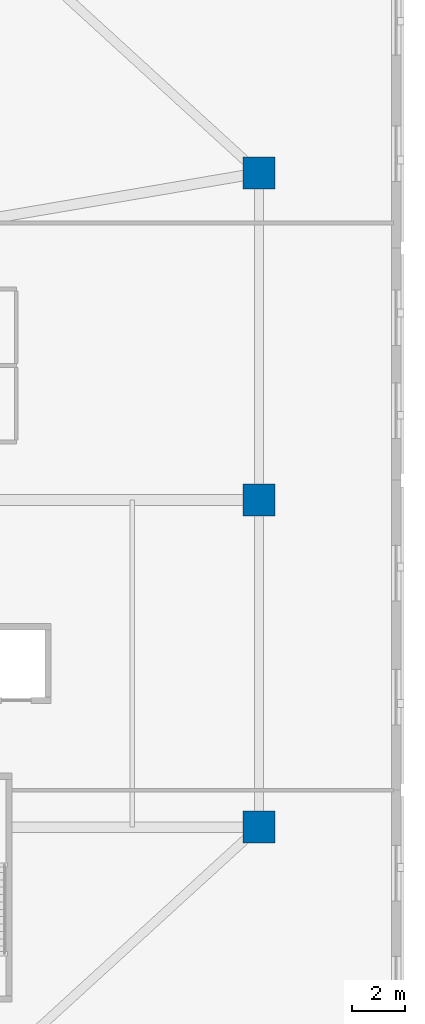
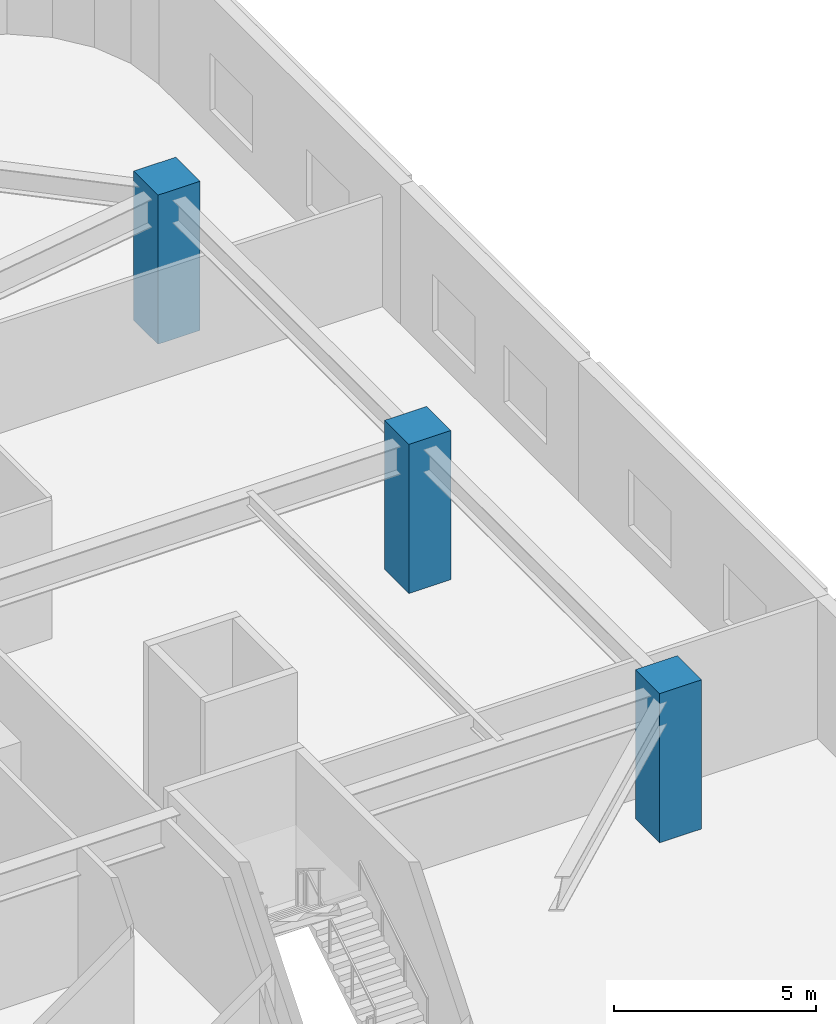
# One storey, part 2 of 25: 3 columns.
"""IFC4 building model written with IfcOpenShell, lengths in metres."""

from ifc_helpers import new_model, si_unit, direction, frame, origin, origin_2d, place, context, subcontext, project, spatial, rectangle, extrude, material, material_profile, profile_set, type_object, element, save


model = new_model("IFC4")

# Units and contexts
model_context = context("Model", 3, precision=1e-05, world=origin(), true_north=direction((0.0, 1.0)))
body_context = subcontext(model_context, "Body", "Model", "MODEL_VIEW")
ifc_project = project(units=[si_unit("LENGTHUNIT", "METRE"), si_unit("AREAUNIT", "SQUARE_METRE"), si_unit("VOLUMEUNIT", "CUBIC_METRE"), si_unit("PLANEANGLEUNIT", "RADIAN"), si_unit("MASSUNIT", "GRAM", prefix="KILO")], contexts=[model_context])

# Site, building, storey
site_placement = place(None, origin())
site = spatial("IfcSite", under=ifc_project, at=site_placement, CompositionType="ELEMENT")
building_placement = place(site_placement, origin())
building = spatial("IfcBuilding", under=site, at=building_placement, Name="Haldorwick Loom Tower", CompositionType="ELEMENT")
storey_placement = place(building_placement, frame((0.0, 0.0, 6.0)))
storey = spatial("IfcBuildingStorey", under=building, at=storey_placement, Name="L01", CompositionType="ELEMENT", Elevation=6.0)

# Columns
ifc_material = material(Name="Concrete C60 (60 MPa)", Category="concrete")
ifc_material_profile = material_profile(ifc_material, rectangle(XDim=1.199951171875, YDim=1.199951171875, at=origin_2d()), Name="RC1200X1200", Category="concrete")
ifc_profile_set = profile_set([ifc_material_profile], Name="Concrete C60 (60 MPa)")
column_type = type_object("IfcColumnType", Name="STR-COL-RC1200", PredefinedType="COLUMN", material=ifc_profile_set)
for number, where, z_axis, x_axis, name in (
    (1, (66.800048828125, 13.60009765625, 0.0), (0.0, 0.0, 1.0), (1.0, 0.0, 0.0), "L01 Podium Column PC-E1"),
    (2, (66.800048828125, 26.0, 0.0), (0.0, 0.0, 1.0), (1.0, 0.0, 0.0), "L01 Podium Column PC-E2"),
    (3, (66.800048828125, 38.39990234375, 0.0), (0.0, 0.0, 1.0), (1.0, 0.0, 0.0), "L01 Podium Column PC-E3"),
):
    element("IfcColumn", number, at=place(storey_placement, frame(where, z_axis=z_axis, x_axis=x_axis)), inside=storey, type_object=column_type, Name=name, PredefinedType="COLUMN", context=body_context, shape_type="SweptSolid", body=[
        extrude(rectangle(XDim=1.199951171875, YDim=1.199951171875, at=origin_2d()), origin(), (0.0, 0.0, 1.0), 4.5),
    ])

save(model, "model.ifc")
